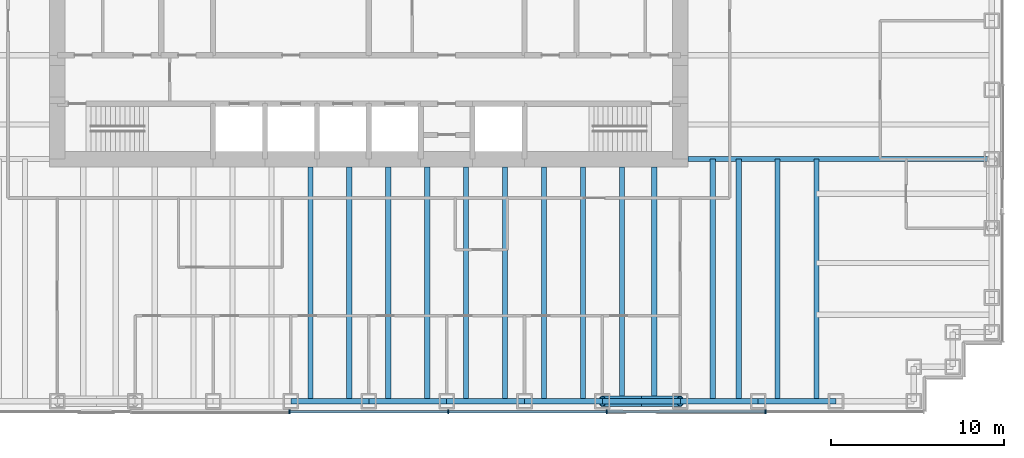
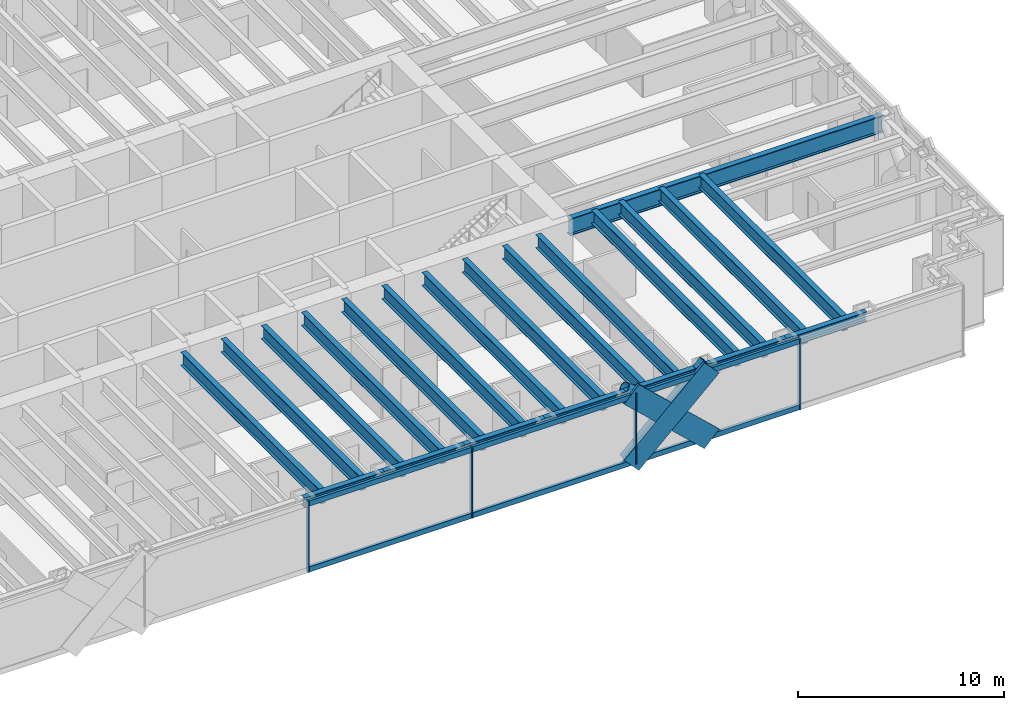
# One storey, part 4 of 19: 22 beams, 14 members, 1 element without a shape of its own.
"""IFC4 building model written with IfcOpenShell, lengths in metres."""

from ifc_helpers import new_model, si_unit, direction, frame, origin, origin_2d, place, context, subcontext, project, spatial, rectangle, hollow_circle, i_section, extrude, material, material_profile, profile_set, type_object, element, aggregate, save


model = new_model("IFC4")

# Units and contexts
model_context = context("Model", 3, precision=1e-05, world=origin(), true_north=direction((0.0, 1.0)))
body_context = subcontext(model_context, "Body", "Model", "MODEL_VIEW")
ifc_project = project(units=[si_unit("LENGTHUNIT", "METRE"), si_unit("AREAUNIT", "SQUARE_METRE"), si_unit("VOLUMEUNIT", "CUBIC_METRE"), si_unit("PLANEANGLEUNIT", "RADIAN"), si_unit("MASSUNIT", "GRAM", prefix="KILO")], contexts=[model_context])

# Site, building, storey
site_placement = place(None, origin())
site = spatial("IfcSite", under=ifc_project, at=site_placement, CompositionType="ELEMENT")
building_placement = place(site_placement, origin())
building = spatial("IfcBuilding", under=site, at=building_placement, Name="Rheinbord Bourse Tower", CompositionType="ELEMENT")
storey_placement = place(building_placement, frame((0.0, 0.0, 167.699951171875)))
storey = spatial("IfcBuildingStorey", under=building, at=storey_placement, Name="L37", CompositionType="ELEMENT", Elevation=167.699951171875)

# Curtain wall, members
ifc_material_1 = material(Name="Dark glass and black aluminium", Category="aluminium")
curtain_wall_type = type_object("IfcCurtainWallType", Name="CW2 DARK GLASS CURTAIN WALL", PredefinedType="USERDEFINED", material=ifc_material_1)
curtain_wall_placement = place(storey_placement, origin())
curtain_wall = element("IfcCurtainWall", 1, at=curtain_wall_placement, inside=storey, type_object=curtain_wall_type, Name="Curtain wall CW2 S L37", ObjectType="UNITISED CURTAIN WALL", PredefinedType="USERDEFINED")
ifc_material_2 = material(Name="Black anodised aluminium", Category="aluminium")
ifc_material_profile_1 = material_profile(ifc_material_2, rectangle(XDim=0.159912109375, YDim=1.2099609375, at=origin_2d()), Name="CW2 DIAGONAL MULLION 1210x160")
ifc_profile_set_1 = profile_set([ifc_material_profile_1], Name="Black anodised aluminium")
member_type_1 = type_object("IfcMemberType", Name="CW2 BLACK DIAGONAL MULLION", PredefinedType="USERDEFINED", material=ifc_profile_set_1)
member_1_placement = place(storey_placement, frame((49.5, 1.39990234375, 0.0), z_axis=(0.73105922506, 0.0, 0.682314010889), x_axis=(0.0, 1.0, 0.0)))
member_1 = element("IfcMember", 2, at=member_1_placement, type_object=member_type_1, Name="CW2 diagonal mullion a", ObjectType="DIAGONAL MULLION", PredefinedType="USERDEFINED", context=body_context, shape_type="SweptSolid", body=[
    extrude(rectangle(XDim=0.159912109375, YDim=1.2099609375, at=origin_2d()), origin(), (0.0, 0.0, 1.0), 6.155517578125),
])
member_2_placement = place(storey_placement, frame((54.0, 1.39990234375, 0.0), z_axis=(-0.73105922506, 0.0, 0.682314010889), x_axis=(0.0, -1.0, 0.0)))
member_2 = element("IfcMember", 3, at=member_2_placement, type_object=member_type_1, Name="CW2 diagonal mullion c", ObjectType="DIAGONAL MULLION", PredefinedType="USERDEFINED", context=body_context, shape_type="SweptSolid", body=[
    extrude(rectangle(XDim=0.159912109375, YDim=1.2099609375, at=origin_2d()), origin(), (0.0, 0.0, 1.0), 6.155517578125),
])
ifc_material_3 = material(Name="Black anodised aluminium", Category="aluminium")
ifc_material_profile_2 = material_profile(ifc_material_3, rectangle(XDim=0.219970703125, YDim=0.070068359375, at=origin_2d()), Name="CW2 MULLION 70x220")
ifc_profile_set_2 = profile_set([ifc_material_profile_2], Name="Black anodised aluminium")
member_type_2 = type_object("IfcMemberType", Name="CW2 BLACK MULLION", PredefinedType="MULLION", material=ifc_profile_set_2)
member_3_placement = place(storey_placement, frame((31.414306640625, 1.39990234375, 0.0), z_axis=(0.0, 0.0, 1.0), x_axis=(0.0, 1.0, 0.0)))
member_3 = element("IfcMember", 4, at=member_3_placement, type_object=member_type_2, Name="CW2 mullion 4", PredefinedType="MULLION", context=body_context, shape_type="SweptSolid", body=[
    extrude(rectangle(XDim=0.219970703125, YDim=0.070068359375, at=origin_2d()), origin(), (0.0, 0.0, 1.0), 4.199951171875),
])
member_4_placement = place(storey_placement, frame((40.585693359375, 1.39990234375, 0.0), z_axis=(0.0, 0.0, 1.0), x_axis=(0.0, 1.0, 0.0)))
member_4 = element("IfcMember", 5, at=member_4_placement, type_object=member_type_2, Name="CW2 mullion 5", PredefinedType="MULLION", context=body_context, shape_type="SweptSolid", body=[
    extrude(rectangle(XDim=0.219970703125, YDim=0.070068359375, at=origin_2d()), origin(), (0.0, 0.0, 1.0), 4.199951171875),
])
member_5_placement = place(storey_placement, frame((49.757080078125, 1.39990234375, 0.0), z_axis=(0.0, 0.0, 1.0), x_axis=(0.0, 1.0, 0.0)))
member_5 = element("IfcMember", 6, at=member_5_placement, type_object=member_type_2, Name="CW2 mullion 6", PredefinedType="MULLION", context=body_context, shape_type="SweptSolid", body=[
    extrude(rectangle(XDim=0.219970703125, YDim=0.070068359375, at=origin_2d()), origin(), (0.0, 0.0, 1.0), 4.199951171875),
])
member_6_placement = place(storey_placement, frame((58.928466796875, 1.39990234375, 0.0), z_axis=(0.0, 0.0, 1.0), x_axis=(0.0, 1.0, 0.0)))
member_6 = element("IfcMember", 7, at=member_6_placement, type_object=member_type_2, Name="CW2 mullion 7", PredefinedType="MULLION", context=body_context, shape_type="SweptSolid", body=[
    extrude(rectangle(XDim=0.219970703125, YDim=0.070068359375, at=origin_2d()), origin(), (0.0, 0.0, 1.0), 4.199951171875),
])
ifc_material_4 = material(Name="Black anodised aluminium", Category="aluminium")
ifc_material_profile_3 = material_profile(ifc_material_4, rectangle(XDim=0.159912109375, YDim=0.300048828125, at=origin_2d()), Name="CW2 TRANSOM 300x160")
ifc_profile_set_3 = profile_set([ifc_material_profile_3], Name="Black anodised aluminium")
member_type_3 = type_object("IfcMemberType", Name="CW2 BLACK TRANSOM", PredefinedType="USERDEFINED", material=ifc_profile_set_3)
member_7_placement = place(storey_placement, frame((31.44921875, 1.39990234375, 0.150146484375), z_axis=(1.0, 0.0, 0.0), x_axis=(0.0, 1.0, 0.0)))
member_7 = element("IfcMember", 8, at=member_7_placement, type_object=member_type_3, Name="CW2 transom 4.1", ObjectType="TRANSOM", PredefinedType="USERDEFINED", context=body_context, shape_type="SweptSolid", body=[
    extrude(rectangle(XDim=0.159912109375, YDim=0.300048828125, at=origin_2d()), origin(), (0.0, 0.0, 1.0), 9.1015625),
])
member_8_placement = place(storey_placement, frame((31.44921875, 1.39990234375, 4.050048828125), z_axis=(1.0, 0.0, 0.0), x_axis=(0.0, 1.0, 0.0)))
member_8 = element("IfcMember", 9, at=member_8_placement, type_object=member_type_3, Name="CW2 transom 4.2", ObjectType="TRANSOM", PredefinedType="USERDEFINED", context=body_context, shape_type="SweptSolid", body=[
    extrude(rectangle(XDim=0.159912109375, YDim=0.300048828125, at=origin_2d()), origin(), (0.0, 0.0, 1.0), 9.1015625),
])
member_9_placement = place(storey_placement, frame((40.62060546875, 1.39990234375, 0.150146484375), z_axis=(1.0, 0.0, 0.0), x_axis=(0.0, 1.0, 0.0)))
member_9 = element("IfcMember", 10, at=member_9_placement, type_object=member_type_3, Name="CW2 transom 5.1", ObjectType="TRANSOM", PredefinedType="USERDEFINED", context=body_context, shape_type="SweptSolid", body=[
    extrude(rectangle(XDim=0.159912109375, YDim=0.300048828125, at=origin_2d()), origin(), (0.0, 0.0, 1.0), 9.1015625),
])
member_10_placement = place(storey_placement, frame((40.62060546875, 1.39990234375, 4.050048828125), z_axis=(1.0, 0.0, 0.0), x_axis=(0.0, 1.0, 0.0)))
member_10 = element("IfcMember", 11, at=member_10_placement, type_object=member_type_3, Name="CW2 transom 5.2", ObjectType="TRANSOM", PredefinedType="USERDEFINED", context=body_context, shape_type="SweptSolid", body=[
    extrude(rectangle(XDim=0.159912109375, YDim=0.300048828125, at=origin_2d()), origin(), (0.0, 0.0, 1.0), 9.1015625),
])
member_11_placement = place(storey_placement, frame((49.792236328125, 1.39990234375, 0.150146484375), z_axis=(1.0, 0.0, 0.0), x_axis=(0.0, 1.0, 0.0)))
member_11 = element("IfcMember", 12, at=member_11_placement, type_object=member_type_3, Name="CW2 transom 6.1", ObjectType="TRANSOM", PredefinedType="USERDEFINED", context=body_context, shape_type="SweptSolid", body=[
    extrude(rectangle(XDim=0.159912109375, YDim=0.300048828125, at=origin_2d()), origin(), (0.0, 0.0, 1.0), 9.101318359375),
])
member_12_placement = place(storey_placement, frame((49.792236328125, 1.39990234375, 4.050048828125), z_axis=(1.0, 0.0, 0.0), x_axis=(0.0, 1.0, 0.0)))
member_12 = element("IfcMember", 13, at=member_12_placement, type_object=member_type_3, Name="CW2 transom 6.2", ObjectType="TRANSOM", PredefinedType="USERDEFINED", context=body_context, shape_type="SweptSolid", body=[
    extrude(rectangle(XDim=0.159912109375, YDim=0.300048828125, at=origin_2d()), origin(), (0.0, 0.0, 1.0), 9.101318359375),
])
aggregate(curtain_wall, [member_3, member_4, member_5, member_6, member_7, member_8, member_9, member_10, member_11, member_12, member_1, member_2])

# Beams
ifc_material_5 = material(Name="Steel S460", Category="steel")
ifc_material_profile_4 = material_profile(ifc_material_5, i_section(OverallWidth=0.300048828125, OverallDepth=0.800048828125, WebThickness=0.017578125, FlangeThickness=0.032958984375, at=origin_2d()), Name="HEB 800")
ifc_profile_set_4 = profile_set([ifc_material_profile_4], Name="Steel S460")
beam_type_1 = type_object("IfcBeamType", Name="FLOOR BEAM HEB 800", PredefinedType="BEAM", material=ifc_profile_set_4)
for number, where, z_axis, x_axis, name in (
    (14, (32.625, 2.0, 3.64013671875), (0.0, 1.0, 0.0), (-1.0, 0.0, 0.0), "Floor beam S-31.5a L38"),
    (15, (34.875, 2.0, 3.64013671875), (0.0, 1.0, 0.0), (-1.0, 0.0, 0.0), "Floor beam S-31.5b L38"),
    (16, (37.125, 2.0, 3.64013671875), (0.0, 1.0, 0.0), (-1.0, 0.0, 0.0), "Floor beam S-36a L38"),
    (17, (39.375, 2.0, 3.64013671875), (0.0, 1.0, 0.0), (-1.0, 0.0, 0.0), "Floor beam S-36b L38"),
    (18, (41.625, 2.0, 3.64013671875), (0.0, 1.0, 0.0), (-1.0, 0.0, 0.0), "Floor beam S-40.5a L38"),
    (19, (43.875, 2.0, 3.64013671875), (0.0, 1.0, 0.0), (-1.0, 0.0, 0.0), "Floor beam S-40.5b L38"),
    (20, (46.125, 2.0, 3.64013671875), (0.0, 1.0, 0.0), (-1.0, 0.0, 0.0), "Floor beam S-45a L38"),
    (21, (48.375, 2.0, 3.64013671875), (0.0, 1.0, 0.0), (-1.0, 0.0, 0.0), "Floor beam S-45b L38"),
    (22, (50.625, 2.0, 3.64013671875), (0.0, 1.0, 0.0), (-1.0, 0.0, 0.0), "Floor beam S-49.5a L38"),
    (23, (52.5, 2.0, 3.64013671875), (0.0, 1.0, 0.0), (-1.0, 0.0, 0.0), "Floor beam S-49.5b L38"),
):
    element("IfcBeam", number, at=place(storey_placement, frame(where, z_axis=z_axis, x_axis=x_axis)), inside=storey, type_object=beam_type_1, Name=name, PredefinedType="BEAM", context=body_context, shape_type="SweptSolid", body=[
        extrude(i_section(OverallWidth=0.300048828125, OverallDepth=0.800048828125, WebThickness=0.017578125, FlangeThickness=0.032958984375, at=origin_2d()), origin(), (0.0, 0.0, 1.0), 13.550048828125),
    ])
for number, where, z_axis, x_axis, name in (
    (24, (55.875, 2.0, 3.64013671875), (0.0, 1.0, 0.0), (-1.0, 0.0, 0.0), "Floor beam S-54a L38"),
    (25, (57.375, 2.0, 3.64013671875), (0.0, 1.0, 0.0), (-1.0, 0.0, 0.0), "Floor beam S-54b L38"),
    (26, (59.625, 2.0, 3.64013671875), (0.0, 1.0, 0.0), (-1.0, 0.0, 0.0), "Floor beam S-58.5a L38"),
    (27, (61.875, 2.0, 3.64013671875), (0.0, 1.0, 0.0), (-1.0, 0.0, 0.0), "Floor beam S-58.5b L38"),
):
    element("IfcBeam", number, at=place(storey_placement, frame(where, z_axis=z_axis, x_axis=x_axis)), inside=storey, type_object=beam_type_1, Name=name, PredefinedType="BEAM", context=body_context, shape_type="SweptSolid", body=[
        extrude(i_section(OverallWidth=0.300048828125, OverallDepth=0.800048828125, WebThickness=0.017578125, FlangeThickness=0.032958984375, at=origin_2d()), origin(), (0.0, 0.0, 1.0), 14.0),
    ])
ifc_material_6 = material(Name="Steel S460", Category="steel")
ifc_material_profile_5 = material_profile(ifc_material_6, i_section(OverallWidth=0.302001953125, OverallDepth=1.008056640625, WebThickness=0.02099609375, FlangeThickness=0.0400390625, at=origin_2d()), Name="HEM 1000")
ifc_profile_set_5 = profile_set([ifc_material_profile_5], Name="Steel S460")
beam_type_2 = type_object("IfcBeamType", Name="GIRDER HEM 1000", PredefinedType="BEAM", material=ifc_profile_set_5)
beam_placement = place(storey_placement, frame((54.449951171875, 16.0, 3.5361328125), z_axis=(1.0, 0.0, 0.0), x_axis=(0.0, 1.0, 0.0)))
element("IfcBeam", 28, at=beam_placement, inside=storey, type_object=beam_type_2, Name="Girder east 16 L38", PredefinedType="BEAM", context=body_context, shape_type="SweptSolid", body=[
    extrude(i_section(OverallWidth=0.302001953125, OverallDepth=1.008056640625, WebThickness=0.02099609375, FlangeThickness=0.0400390625, at=origin_2d()), origin(), (0.0, 0.0, 1.0), 17.550048828125),
])

# Members
ifc_material_7 = material(Name="Steel S460", Category="steel")
ifc_material_profile_6 = material_profile(ifc_material_7, hollow_circle(Radius=0.304931640625, WallThickness=0.0400390625, at=origin_2d()), Name="CHS 610x40")
ifc_profile_set_6 = profile_set([ifc_material_profile_6], Name="Steel S460")
member_type_4 = type_object("IfcMemberType", Name="MEGABRACE CHS 610x40", PredefinedType="BRACE", material=ifc_profile_set_6)
for number, where, z_axis, x_axis, name in (
    (29, (49.5, 2.0, 0.0), (0.73105922506, 0.0, 0.682314010889), (0.0, 1.0, 0.0), "Megabrace S face line a L37"),
    (30, (54.0, 2.0, 0.0), (-0.73105922506, 0.0, 0.682314010889), (0.0, -1.0, 0.0), "Megabrace S face line c L37"),
):
    element("IfcMember", number, at=place(storey_placement, frame(where, z_axis=z_axis, x_axis=x_axis)), inside=storey, type_object=member_type_4, Name=name, PredefinedType="BRACE", context=body_context, shape_type="SweptSolid", body=[
        extrude(hollow_circle(Radius=0.304931640625, WallThickness=0.0400390625, at=origin_2d()), origin(), (0.0, 0.0, 1.0), 6.155517578125),
    ])

# Beams
ifc_material_8 = material(Name="Steel S460", Category="steel")
ifc_material_profile_7 = material_profile(ifc_material_8, i_section(OverallWidth=0.305908203125, OverallDepth=0.572021484375, WebThickness=0.02099609375, FlangeThickness=0.0400390625, at=origin_2d()), Name="HEM 550")
ifc_profile_set_7 = profile_set([ifc_material_profile_7], Name="Steel S460")
beam_type_3 = type_object("IfcBeamType", Name="SPANDREL HEM 550", PredefinedType="SPANDREL", material=ifc_profile_set_7)
for number, where, z_axis, x_axis, name in (
    (31, (31.5, 2.0, 3.754150390625), (1.0, 0.0, 0.0), (0.0, 1.0, 0.0), "Spandrel S-31.5-S-36 under L38"),
    (32, (36.0, 2.0, 3.754150390625), (1.0, 0.0, 0.0), (0.0, 1.0, 0.0), "Spandrel S-36-S-40.5 under L38"),
    (33, (40.5, 2.0, 3.754150390625), (1.0, 0.0, 0.0), (0.0, 1.0, 0.0), "Spandrel S-40.5-S-45 under L38"),
    (34, (45.0, 2.0, 3.754150390625), (1.0, 0.0, 0.0), (0.0, 1.0, 0.0), "Spandrel S-45-S-49.5 under L38"),
    (35, (49.5, 2.0, 3.754150390625), (1.0, 0.0, 0.0), (0.0, 1.0, 0.0), "Spandrel S-49.5-S-54 under L38"),
    (36, (54.0, 2.0, 3.754150390625), (1.0, 0.0, 0.0), (0.0, 1.0, 0.0), "Spandrel S-54-S-58.5 under L38"),
    (37, (58.5, 2.0, 3.754150390625), (1.0, 0.0, 0.0), (0.0, 1.0, 0.0), "Spandrel S-58.5-S-63 under L38"),
):
    element("IfcBeam", number, at=place(storey_placement, frame(where, z_axis=z_axis, x_axis=x_axis)), inside=storey, type_object=beam_type_3, Name=name, PredefinedType="SPANDREL", context=body_context, shape_type="SweptSolid", body=[
        extrude(i_section(OverallWidth=0.305908203125, OverallDepth=0.572021484375, WebThickness=0.02099609375, FlangeThickness=0.0400390625, at=origin_2d()), origin(), (0.0, 0.0, 1.0), 4.5),
    ])

save(model, "model.ifc")
